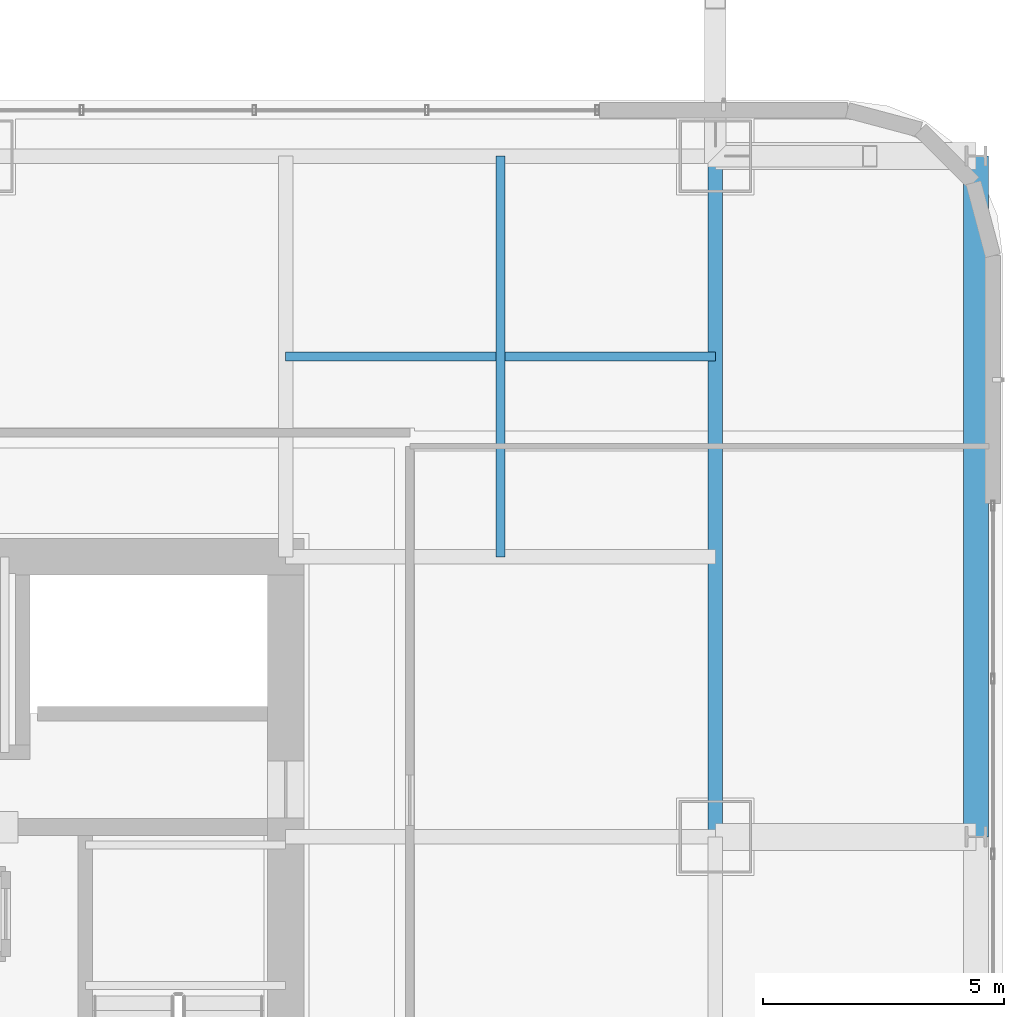
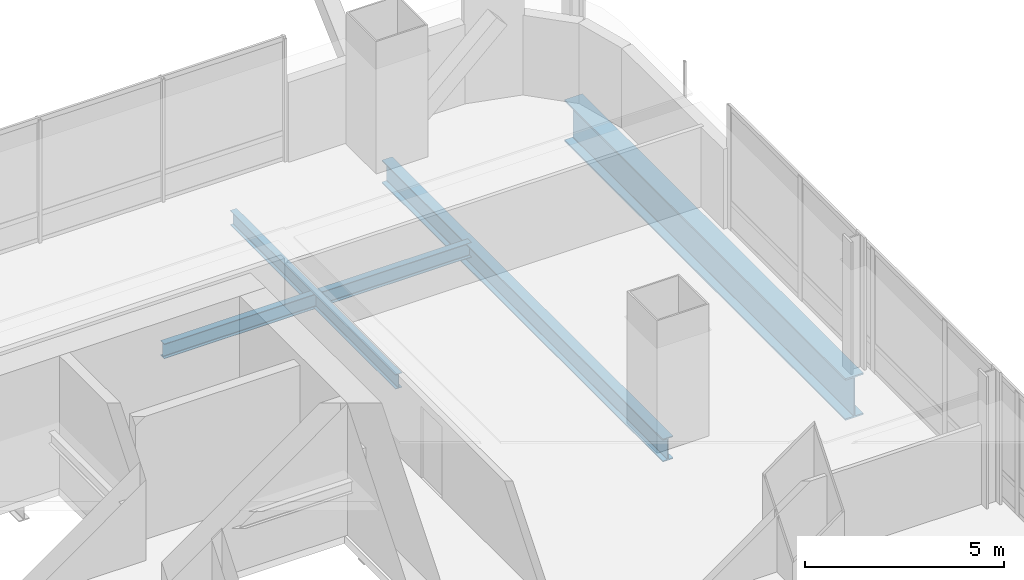
# One storey, part 23 of 42: 4 beams.
"""IFC4 building model written with IfcOpenShell, lengths in metres."""

from ifc_helpers import new_model, si_unit, direction, frame, origin, origin_2d, place, context, subcontext, project, spatial, i_section, extrude, material, material_profile, profile_set, type_object, element, save


model = new_model("IFC4")

# Units and contexts
model_context = context("Model", 3, precision=1e-05, world=origin(), true_north=direction((0.0, 1.0)))
body_context = subcontext(model_context, "Body", "Model", "MODEL_VIEW")
ifc_project = project(units=[si_unit("LENGTHUNIT", "METRE"), si_unit("AREAUNIT", "SQUARE_METRE"), si_unit("VOLUMEUNIT", "CUBIC_METRE"), si_unit("PLANEANGLEUNIT", "RADIAN"), si_unit("MASSUNIT", "GRAM", prefix="KILO")], contexts=[model_context])

# Site, building, storey
site_placement = place(None, origin())
site = spatial("IfcSite", under=ifc_project, at=site_placement, CompositionType="ELEMENT")
building_placement = place(site_placement, origin())
building = spatial("IfcBuilding", under=site, at=building_placement, Name="Punatoya Terracotta Tower", CompositionType="ELEMENT")
storey_placement = place(building_placement, frame((0.0, 0.0, 88.949951171875)))
storey = spatial("IfcBuildingStorey", under=building, at=storey_placement, Name="L20", CompositionType="ELEMENT", Elevation=88.949951171875)

# Beams
ifc_material_1 = material(Name="Steel S355", Category="steel")
ifc_material_profile_1 = material_profile(ifc_material_1, i_section(OverallWidth=0.300048828125, OverallDepth=0.699951171875, WebThickness=0.01708984375, FlangeThickness=0.031982421875, FilletRadius=0.01806640625, at=origin_2d()))
ifc_profile_set_1 = profile_set([ifc_material_profile_1], Name="Steel S355")
beam_type_1 = type_object("IfcBeamType", Name="BM-PRI-700", PredefinedType="BEAM", material=ifc_profile_set_1)
beam_1_placement = place(storey_placement, frame((19.10009765625, 3.39990234375, -0.58984375), z_axis=(0.0, 1.0, 0.0), x_axis=(-1.0, 0.0, 0.0)))
element("IfcBeam", 1, at=beam_1_placement, inside=storey, type_object=beam_type_1, Name="BM-L20-RG-E3", PredefinedType="BEAM", context=body_context, shape_type="SweptSolid", body=[
    extrude(i_section(OverallWidth=0.300048828125, OverallDepth=0.699951171875, WebThickness=0.01708984375, FlangeThickness=0.031982421875, FilletRadius=0.01806640625, at=origin_2d()), origin(), (0.0, 0.0, 1.0), 14.10009765625),
])
ifc_material_profile_2 = material_profile(ifc_material_1, i_section(OverallWidth=0.18994140625, OverallDepth=0.449951171875, WebThickness=0.009521484375, FlangeThickness=0.0146484375, FilletRadius=0.01806640625, at=origin_2d()))
ifc_profile_set_2 = profile_set([ifc_material_profile_2], Name="Steel S355")
beam_type_2 = type_object("IfcBeamType", Name="BM-SEC-450", PredefinedType="JOIST", material=ifc_profile_set_2)
beam_2_placement = place(storey_placement, frame((10.199951171875, 13.35009765625, -0.46484375), z_axis=(1.0, 0.0, 0.0), x_axis=(0.0, 1.0, 0.0)))
element("IfcBeam", 2, at=beam_2_placement, inside=storey, type_object=beam_type_2, Name="BM-L20-SJN-2", PredefinedType="JOIST", context=body_context, shape_type="SweptSolid", body=[
    extrude(i_section(OverallWidth=0.18994140625, OverallDepth=0.449951171875, WebThickness=0.009521484375, FlangeThickness=0.0146484375, FilletRadius=0.01806640625, at=origin_2d()), origin(), (0.0, 0.0, 1.0), 8.900146484375),
])
beam_3_placement = place(storey_placement, frame((14.64990234375, 9.199951171875, -0.46484375), z_axis=(0.0, 1.0, 0.0), x_axis=(-1.0, 0.0, 0.0)))
element("IfcBeam", 3, at=beam_3_placement, inside=storey, type_object=beam_type_2, Name="BM-L20-SJE-2", PredefinedType="JOIST", context=body_context, shape_type="SweptSolid", body=[
    extrude(i_section(OverallWidth=0.18994140625, OverallDepth=0.449951171875, WebThickness=0.009521484375, FlangeThickness=0.0146484375, FilletRadius=0.01806640625, at=origin_2d()), origin(), (0.0, 0.0, 1.0), 8.300048828125),
])
ifc_material_2 = material(Name="Steel S460", Category="steel")
ifc_material_profile_3 = material_profile(ifc_material_2, i_section(OverallWidth=0.52001953125, OverallDepth=1.280029296875, WebThickness=0.031982421875, FlangeThickness=0.050048828125, FilletRadius=0.01806640625, at=origin_2d()))
ifc_profile_set_3 = profile_set([ifc_material_profile_3], Name="Steel S460")
beam_type_3 = type_object("IfcBeamType", Name="BM-TG-NCK", PredefinedType="BEAM", material=ifc_profile_set_3)
beam_4_placement = place(storey_placement, frame((24.5, 3.39990234375, -0.8798828125), z_axis=(0.0, 1.0, 0.0), x_axis=(-1.0, 0.0, 0.0)))
element("IfcBeam", 4, at=beam_4_placement, inside=storey, type_object=beam_type_3, Name="BM-L20-PER-E3", PredefinedType="BEAM", context=body_context, shape_type="SweptSolid", body=[
    extrude(i_section(OverallWidth=0.52001953125, OverallDepth=1.280029296875, WebThickness=0.031982421875, FlangeThickness=0.050048828125, FilletRadius=0.01806640625, at=origin_2d()), origin(), (0.0, 0.0, 1.0), 14.10009765625),
])

save(model, "model.ifc")
